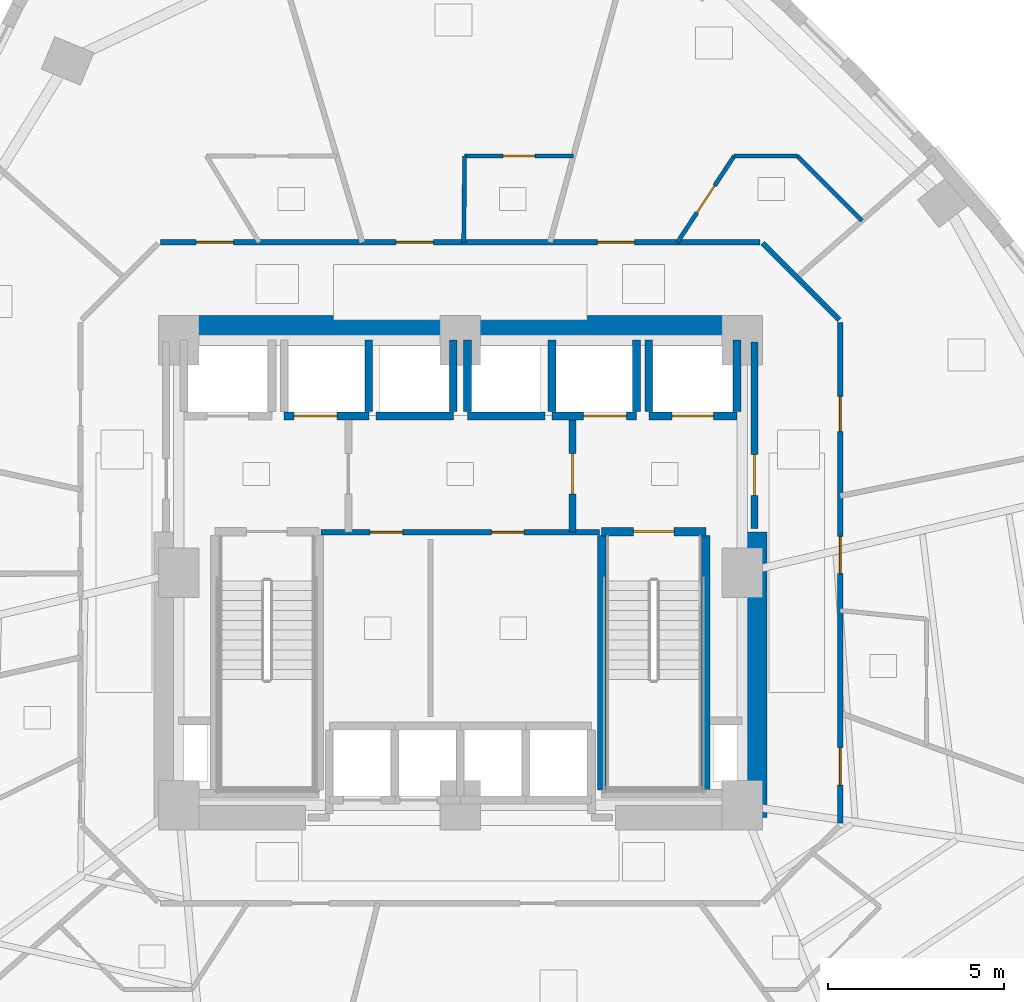
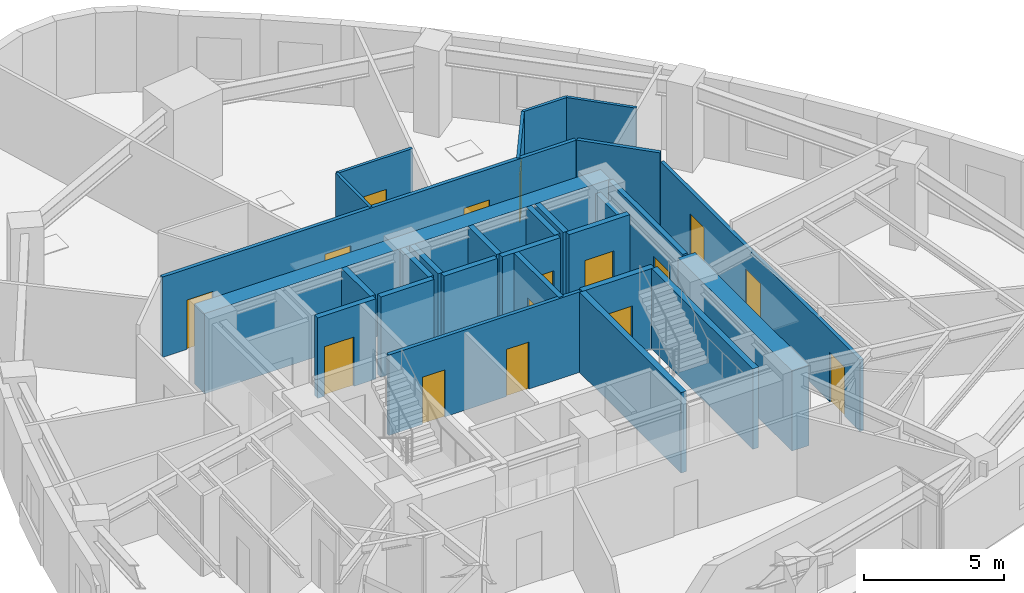
# One storey, part 7 of 12: 28 walls, 16 doors, 16 openings.
"""IFC4 building model written with IfcOpenShell, lengths in metres."""

import ifcopenshell
import ifcopenshell.guid

model = None  # the IFC model being written
_history = None  # IfcOwnerHistory: only IFC2X3 demands one
_inside = {}  # id of a spatial element -> (the spatial element, [elements in it])
_under = {}  # id of a project, library or spatial element -> (it, [spatial elements below it])
_declared = {}  # id of a project -> (the project, [libraries it declares])
_typed = {}  # id of a type object -> (the type object, [elements of that type])
_made_of = {}  # id of a material, layer set ... -> (it, [elements and type objects made of it])


def new_model(schema):
    """Start an empty IFC model of exactly this schema.

    Asked for "IFC4X3", IfcOpenShell would pick the latest addendum, in which some entities
    have other attributes; the version numbers below select the first issue.
    IFC2X3 requires an IfcOwnerHistory on every rooted entity: one is made here for all.
    """
    global model, _history
    if schema == "IFC4X3":
        model = ifcopenshell.file(schema_version=(4, 3, 0, 0))
    else:
        model = ifcopenshell.file(schema=schema)
    _inside.clear()
    _under.clear()
    _declared.clear()
    _typed.clear()
    _made_of.clear()
    _history = None
    if model.schema == "IFC2X3":
        org = make("IfcOrganization", Name="unknown")
        user = make(
            "IfcPersonAndOrganization",
            ThePerson=make("IfcPerson", FamilyName="unknown"),
            TheOrganization=org,
        )
        app = make(
            "IfcApplication",
            ApplicationDeveloper=org,
            Version="unknown",
            ApplicationFullName="unknown",
            ApplicationIdentifier="unknown",
        )
        _history = make(
            "IfcOwnerHistory",
            OwningUser=user,
            OwningApplication=app,
            ChangeAction="ADDED",
            CreationDate=0,
        )
    return model


def make(cls, **values):
    """One entity of the class cls with the attributes given. An attribute that is None is left unset."""
    return model.create_entity(
        cls, **{name: value for name, value in values.items() if value is not None}
    )


def rooted(cls, **values):
    """An entity with a GlobalId (a new one), such as an element, a storey or a relation."""
    return make(cls, GlobalId=ifcopenshell.guid.new(), OwnerHistory=_history, **values)


def si_unit(unit_type, name, prefix=None):
    """IfcSIUnit, for example si_unit("LENGTHUNIT", "METRE", prefix="MILLI")."""
    return make("IfcSIUnit", UnitType=unit_type, Prefix=prefix, Name=name)


def assignment(units):
    """IfcUnitAssignment: the units of a project."""
    return None if units is None else make("IfcUnitAssignment", Units=units)


def point(xyz):
    """IfcCartesianPoint."""
    return None if xyz is None else make("IfcCartesianPoint", Coordinates=xyz)


def direction(xyz):
    """IfcDirection."""
    return None if xyz is None else make("IfcDirection", DirectionRatios=xyz)


def frame(location, z_axis=None, x_axis=None):
    """IfcAxis2Placement3D, a coordinate frame: its origin and axes. An axis left out is left unset."""
    return make(
        "IfcAxis2Placement3D",
        Location=point(location),
        Axis=direction(z_axis),
        RefDirection=direction(x_axis),
    )


def frame_2d(location, x_axis=None):
    """IfcAxis2Placement2D, a coordinate frame in the plane: its origin and x axis."""
    return make(
        "IfcAxis2Placement2D", Location=point(location), RefDirection=direction(x_axis)
    )


def origin():
    """The frame at (0, 0, 0) with its axes left unset."""
    return frame((0.0, 0.0, 0.0))


def place(relative_to, where):
    """IfcLocalPlacement: puts the frame where relative to a parent placement (None: the world)."""
    return make(
        "IfcLocalPlacement", PlacementRelTo=relative_to, RelativePlacement=where
    )


def context(
    kind, dimensions, precision=None, world=None, true_north=None, identifier=None
):
    """IfcGeometricRepresentationContext, for example the 3D "Model" context."""
    return make(
        "IfcGeometricRepresentationContext",
        ContextIdentifier=identifier,
        ContextType=kind,
        CoordinateSpaceDimension=dimensions,
        Precision=precision,
        WorldCoordinateSystem=world,
        TrueNorth=true_north,
    )


def subcontext(parent, identifier, kind, view, scale=None):
    """IfcGeometricRepresentationSubContext, for example "Body" below "Model"."""
    return make(
        "IfcGeometricRepresentationSubContext",
        ContextIdentifier=identifier,
        ContextType=kind,
        ParentContext=parent,
        TargetScale=scale,
        TargetView=view,
    )


def project(units=None, contexts=None):
    """IfcProject with its units and contexts."""
    return rooted(
        "IfcProject",
        Name="project",
        RepresentationContexts=contexts,
        UnitsInContext=assignment(units),
    )


def spatial(cls, under=None, at=None, **own):
    """A site, building, storey or space (cls), placed at a placement, below another one or the project."""
    s = rooted(cls, ObjectPlacement=at, **own)
    if under is not None:
        _under.setdefault(under.id(), (under, []))[1].append(s)
    return s


def profile(cls, at=None, kind="AREA", **sizes):
    """A parametric profile (cls). Its sizes go by their IFC names, for example OverallWidth=200.0."""
    return make(cls, ProfileType=kind, Position=at, **sizes)


def rectangle(**sizes):
    """IfcRectangleProfileDef."""
    return profile("IfcRectangleProfileDef", **sizes)


def extrude(swept, where, along, depth):
    """IfcExtrudedAreaSolid: the profile swept, set in the frame where, extruded along a direction by depth."""
    return make(
        "IfcExtrudedAreaSolid",
        SweptArea=swept,
        Position=where,
        ExtrudedDirection=direction(along),
        Depth=depth,
    )


def shape(context_of_items, identifier, shape_type, items):
    """IfcShapeRepresentation: the items that make up one representation, for example the "Body"."""
    return make(
        "IfcShapeRepresentation",
        ContextOfItems=context_of_items,
        RepresentationIdentifier=identifier,
        RepresentationType=shape_type,
        Items=items,
    )


def material(Name=None, Category=None):
    """IfcMaterial."""
    return make("IfcMaterial", Name=Name, Category=Category)


def layer(
    of_material, thickness, ventilated=None, Name=None, Category=None, Priority=None
):
    """IfcMaterialLayer: one layer of a wall or slab, of a material (None: an air gap)."""
    return make(
        "IfcMaterialLayer",
        Material=of_material,
        LayerThickness=thickness,
        IsVentilated=ventilated,
        Name=Name,
        Category=Category,
        Priority=Priority,
    )


def layer_set(layers, Name=None):
    """IfcMaterialLayerSet."""
    return make("IfcMaterialLayerSet", MaterialLayers=layers, LayerSetName=Name)


def made_of(thing, what):
    """Note that an element or type object is made of a material, layer set ...; save() writes the relation."""
    if what is not None:
        _made_of.setdefault(what.id(), (what, []))[1].append(thing)
    return thing


def type_object(cls, material=None, **own):
    """A type object (cls), such as IfcWallType, which elements share."""
    return made_of(rooted(cls, **own), material)


def element(
    cls,
    number,
    at=None,
    inside=None,
    cuts=None,
    type_object=None,
    material=None,
    context=None,
    identifier="Body",
    shape_type=None,
    held_by="IfcProductDefinitionShape",
    body=None,
    shapes=None,
    **own,
):
    """One element of the class cls, such as IfcWall. Its Tag is "e" and its number.

    at: its placement. inside: the storey or other place that contains it. cuts: it is an
    opening in that element (IfcRelVoidsElement). A single representation is given by context,
    identifier, shape_type and body (its items); several are given by shapes. held_by: the class
    of the entity that holds the representations. save() writes the other relations.
    """
    e = rooted(cls, Tag="e%d" % number, ObjectPlacement=at, **own)
    if body is not None:
        shapes = [shape(context, identifier, shape_type, body)]
    if shapes is not None:
        e.Representation = make(held_by, Representations=shapes)
    if inside is not None:
        _inside.setdefault(inside.id(), (inside, []))[1].append(e)
    if cuts is not None:
        rooted(
            "IfcRelVoidsElement", RelatingBuildingElement=cuts, RelatedOpeningElement=e
        )
    if type_object is not None:
        _typed.setdefault(type_object.id(), (type_object, []))[1].append(e)
    return made_of(e, material)


def fill(opening, filler):
    """IfcRelFillsElement: the door or window that sits in an opening."""
    return rooted(
        "IfcRelFillsElement",
        RelatingOpeningElement=opening,
        RelatedBuildingElement=filler,
    )


def aggregate(whole, parts):
    """IfcRelAggregates: a whole, such as a stair, and the parts it consists of."""
    return rooted("IfcRelAggregates", RelatingObject=whole, RelatedObjects=parts)


def save(model, path):
    """Write the relations noted so far, then the file.

    IfcRelAggregates (storeys below a building ...), IfcRelContainedInSpatialStructure (elements
    in a storey), IfcRelDefinesByType, IfcRelAssociatesMaterial and IfcRelDeclares: one each for
    every whole, place, type object, material and project.
    """
    for whole, parts in _under.values():
        aggregate(whole, parts)
    for where, things in _inside.values():
        rooted(
            "IfcRelContainedInSpatialStructure",
            RelatedElements=things,
            RelatingStructure=where,
        )
    for kind, things in _typed.values():
        rooted("IfcRelDefinesByType", RelatedObjects=things, RelatingType=kind)
    for what, things in _made_of.values():
        rooted("IfcRelAssociatesMaterial", RelatedObjects=things, RelatingMaterial=what)
    for by, libraries in _declared.values():
        rooted("IfcRelDeclares", RelatingContext=by, RelatedDefinitions=libraries)
    model.write(path)


model = new_model("IFC4")

# Units and contexts
model_context = context("Model", 3, precision=1e-05, world=origin(), true_north=direction((0.0, 1.0)))
body_context = subcontext(model_context, "Body", "Model", "MODEL_VIEW")
ifc_project = project(units=[si_unit("LENGTHUNIT", "METRE"), si_unit("AREAUNIT", "SQUARE_METRE"), si_unit("VOLUMEUNIT", "CUBIC_METRE"), si_unit("PLANEANGLEUNIT", "RADIAN"), si_unit("MASSUNIT", "GRAM", prefix="KILO")], contexts=[model_context])

# Site, building, storey
site_placement = place(None, origin())
site = spatial("IfcSite", under=ifc_project, at=site_placement, CompositionType="ELEMENT")
building_placement = place(site_placement, origin())
building = spatial("IfcBuilding", under=site, at=building_placement, Name="Ndelora Gate Hotel", CompositionType="ELEMENT")
storey_placement = place(building_placement, frame((0.0, 0.0, 75.5)))
storey = spatial("IfcBuildingStorey", under=building, at=storey_placement, Name="L18", CompositionType="ELEMENT", Elevation=75.5)

# Walls
ifc_material_1 = material(Name="Concrete C60/75", Category="concrete")
ifc_layer_1 = layer(ifc_material_1, 0.699951171875)
ifc_layer_set_1 = layer_set([ifc_layer_1], Name="Concrete C60/75")
wall_type_1 = type_object("IfcWallType", Name="WL-CORE-700", PredefinedType="SHEAR", material=ifc_layer_set_1)
wall_1_placement = place(storey_placement, frame((-8.35009765625, 6.949951171875, 0.0), z_axis=(0.0, 0.0, 1.0), x_axis=(1.0, 0.0, 0.0)))
element("IfcWall", 1, at=wall_1_placement, inside=storey, type_object=wall_type_1, Name="L18 Core Shear Wall N", PredefinedType="SHEAR", context=body_context, shape_type="SweptSolid", body=[
    extrude(rectangle(XDim=16.7001953125, YDim=0.699951171875, at=frame_2d((8.35009765625, 0.0))), origin(), (0.0, 0.0, 1.0), 3.5),
])
wall_2_placement = place(storey_placement, frame((8.35009765625, -6.949951171875, 0.0), z_axis=(0.0, 0.0, 1.0), x_axis=(0.0, 1.0, 0.0)))
element("IfcWall", 2, at=wall_2_placement, inside=storey, type_object=wall_type_1, Name="L18 Core Shear Wall E", PredefinedType="SHEAR", context=body_context, shape_type="SweptSolid", body=[
    extrude(rectangle(XDim=8.099853515625, YDim=0.699951171875, at=frame_2d((4.0498046875, 0.0))), origin(), (0.0, 0.0, 1.0), 3.5),
])

# Wall, opening, door
ifc_material_2 = material(Name="Concrete C40/50", Category="concrete")
ifc_layer_2 = layer(ifc_material_2, 0.199951171875)
ifc_layer_set_2 = layer_set([ifc_layer_2], Name="Concrete C40/50")
wall_type_2 = type_object("IfcWallType", Name="WL-FIRE-200", PredefinedType="PARTITIONING", material=ifc_layer_set_2)
wall_3_placement = place(storey_placement, frame((3.179931640625, 1.14990234375, 0.0), z_axis=(0.0, 0.0, 1.0), x_axis=(0.0, 1.0, 0.0)))
wall_3 = element("IfcWall", 3, at=wall_3_placement, inside=storey, type_object=wall_type_2, Name="L18 Interior Wall IW-2", PredefinedType="PARTITIONING", context=body_context, shape_type="SweptSolid", body=[
    extrude(rectangle(XDim=3.300048828125, YDim=0.199951171875, at=frame_2d((1.64990234375, 0.0))), origin(), (0.0, 0.0, 1.0), 3.5),
])
opening_1_placement = place(wall_3_placement, frame((1.080078125, 0.0, 0.0)))
opening_1 = element("IfcOpeningElement", 4, at=opening_1_placement, cuts=wall_3, Name="Opening FD1", PredefinedType="OPENING", context=body_context, shape_type="SweptSolid", body=[
    extrude(rectangle(XDim=1.14990234375, YDim=2.14990234375, at=frame_2d((0.574951171875, 1.074951171875))), frame((0.0, 0.10986328125, 0.0), z_axis=(0.0, -1.0, 0.0), x_axis=(1.0, 0.0, 0.0)), (0.0, 0.0, 1.0), 0.219970703125),
])
ifc_material_3 = material(Name="Fire-Rated Timber-Veneer Steel Core", Category="steel")
door_type_1 = type_object("IfcDoorType", Name="DR-FD60", OperationType="SINGLE_SWING_LEFT", PredefinedType="DOOR", material=ifc_material_3)
door_1_placement = place(opening_1_placement, origin())
door_1 = element("IfcDoor", 5, at=door_1_placement, inside=storey, type_object=door_type_1, Name="L18 Firefighting Lobby East Door", OperationType="SINGLE_SWING_LEFT", OverallHeight=2.14990234375, OverallWidth=1.14990234375, PredefinedType="DOOR", context=body_context, shape_type="SweptSolid", body=[
    extrude(rectangle(XDim=1.14990234375, YDim=2.14990234375, at=frame_2d((0.574951171875, 1.074951171875))), frame((0.0, 0.02490234375, 0.0), z_axis=(0.0, -1.0, 0.0), x_axis=(1.0, 0.0, 0.0)), (0.0, 0.0, 1.0), 0.050048828125),
])
fill(opening_1, door_1)

wall_4_placement = place(storey_placement, frame((8.35009765625, 1.25, 0.0), z_axis=(0.0, 0.0, 1.0), x_axis=(0.0, 1.0, 0.0)))
wall_4 = element("IfcWall", 6, at=wall_4_placement, inside=storey, type_object=wall_type_2, Name="L18 Interior Wall IW-2", PredefinedType="PARTITIONING", context=body_context, shape_type="SweptSolid", body=[
    extrude(rectangle(XDim=5.300048828125, YDim=0.199951171875, at=frame_2d((2.64990234375, 0.0))), origin(), (0.0, 0.0, 1.0), 3.5),
])
opening_2_placement = place(wall_4_placement, frame((0.949951171875, 0.0, 0.0)))
opening_2 = element("IfcOpeningElement", 7, at=opening_2_placement, cuts=wall_4, Name="Opening FD1", PredefinedType="OPENING", context=body_context, shape_type="SweptSolid", body=[
    extrude(rectangle(XDim=1.14990234375, YDim=2.14990234375, at=frame_2d((0.574951171875, 1.074951171875))), frame((0.0, 0.10986328125, 0.0), z_axis=(0.0, -1.0, 0.0), x_axis=(1.0, 0.0, 0.0)), (0.0, 0.0, 1.0), 0.219970703125),
])
door_2_placement = place(opening_2_placement, origin())
door_2 = element("IfcDoor", 8, at=door_2_placement, inside=storey, type_object=door_type_1, Name="L18 Firefighting Lobby East Corridor Door", OperationType="SINGLE_SWING_RIGHT", OverallHeight=2.14990234375, OverallWidth=1.14990234375, PredefinedType="DOOR", context=body_context, shape_type="SweptSolid", body=[
    extrude(rectangle(XDim=1.14990234375, YDim=2.14990234375, at=frame_2d((0.574951171875, 1.074951171875))), frame((0.0, 0.02490234375, 0.0), z_axis=(0.0, -1.0, 0.0), x_axis=(1.0, 0.0, 0.0)), (0.0, 0.0, 1.0), 0.050048828125),
])
fill(opening_2, door_2)

# Wall, openings, doors
ifc_material_4 = material(Name="Fire-Rated Gypsum Stud Partition", Category="gypsum")
ifc_layer_3 = layer(ifc_material_4, 0.14990234375)
ifc_layer_set_3 = layer_set([ifc_layer_3], Name="Fire-Rated Gypsum Stud Partition")
wall_type_3 = type_object("IfcWallType", Name="WL-PART-150", PredefinedType="PARTITIONING", material=ifc_layer_set_3)
wall_5_placement = place(storey_placement, frame((3.949951171875, 1.14990234375, 0.0), z_axis=(0.0, 0.0, 1.0), x_axis=(-1.0, 0.0, 0.0)))
wall_5 = element("IfcWall", 9, at=wall_5_placement, inside=storey, type_object=wall_type_3, Name="L18 Interior Wall IW-5", PredefinedType="PARTITIONING", context=body_context, shape_type="SweptSolid", body=[
    extrude(rectangle(XDim=7.89990234375, YDim=0.14990234375, at=frame_2d((3.949951171875, 0.0))), origin(), (0.0, 0.0, 1.0), 3.5),
])
opening_3_placement = place(wall_5_placement, frame((5.590087890625, 0.0, 0.0)))
opening_3 = element("IfcOpeningElement", 10, at=opening_3_placement, cuts=wall_5, Name="Opening D04", PredefinedType="OPENING", context=body_context, shape_type="SweptSolid", body=[
    extrude(rectangle(XDim=0.919921875, YDim=2.050048828125, at=frame_2d((0.4599609375, 1.02490234375))), frame((0.0, 0.0849609375, 0.0), z_axis=(0.0, -1.0, 0.0), x_axis=(1.0, 0.0, 0.0)), (0.0, 0.0, 1.0), 0.169921875),
])
opening_4_placement = place(wall_5_placement, frame((2.139892578125, 0.0, 0.0)))
opening_4 = element("IfcOpeningElement", 11, at=opening_4_placement, cuts=wall_5, Name="Opening D04", PredefinedType="OPENING", context=body_context, shape_type="SweptSolid", body=[
    extrude(rectangle(XDim=0.919921875, YDim=2.050048828125, at=frame_2d((0.4599609375, 1.02490234375))), frame((0.0, 0.0849609375, 0.0), z_axis=(0.0, -1.0, 0.0), x_axis=(1.0, 0.0, 0.0)), (0.0, 0.0, 1.0), 0.169921875),
])
ifc_material_5 = material(Name="Painted Steel Core Service Door", Category="steel")
door_type_2 = type_object("IfcDoorType", Name="DR-SER-920", OperationType="SINGLE_SWING_LEFT", PredefinedType="DOOR", material=ifc_material_5)
door_3_placement = place(opening_3_placement, origin())
door_3 = element("IfcDoor", 12, at=door_3_placement, inside=storey, type_object=door_type_2, Name="L18 Core Electrical Switchroom Door", OperationType="SINGLE_SWING_LEFT", OverallHeight=2.050048828125, OverallWidth=0.919921875, PredefinedType="DOOR", context=body_context, shape_type="SweptSolid", body=[
    extrude(rectangle(XDim=0.919921875, YDim=2.050048828125, at=frame_2d((0.4599609375, 1.02490234375))), frame((0.0, 0.02490234375, 0.0), z_axis=(0.0, -1.0, 0.0), x_axis=(1.0, 0.0, 0.0)), (0.0, 0.0, 1.0), 0.050048828125),
])
fill(opening_3, door_3)
door_4_placement = place(opening_4_placement, origin())
door_4 = element("IfcDoor", 13, at=door_4_placement, inside=storey, type_object=door_type_2, Name="L18 Central Linen Equipment Store Door", OperationType="SINGLE_SWING_RIGHT", OverallHeight=2.050048828125, OverallWidth=0.919921875, PredefinedType="DOOR", context=body_context, shape_type="SweptSolid", body=[
    extrude(rectangle(XDim=0.919921875, YDim=2.050048828125, at=frame_2d((0.4599609375, 1.02490234375))), frame((0.0, 0.02490234375, 0.0), z_axis=(0.0, -1.0, 0.0), x_axis=(1.0, 0.0, 0.0)), (0.0, 0.0, 1.0), 0.050048828125),
])
fill(opening_4, door_4)

wall_6_placement = place(storey_placement, frame((10.780029296875, 7.110107421875, 0.0), z_axis=(0.0, 0.0, 1.0), x_axis=(0.0, -1.0, 0.0)))
wall_6 = element("IfcWall", 14, at=wall_6_placement, inside=storey, type_object=wall_type_3, Name="L18 Interior Wall IW-5", PredefinedType="PARTITIONING", context=body_context, shape_type="SweptSolid", body=[
    extrude(rectangle(XDim=14.22021484375, YDim=0.14990234375, at=frame_2d((7.110107421875, 0.0))), origin(), (0.0, 0.0, 1.0), 3.1201171875),
])
opening_5_placement = place(wall_6_placement, frame((2.104736328125, 0.0, 0.0)))
opening_5 = element("IfcOpeningElement", 15, at=opening_5_placement, cuts=wall_6, Name="Opening D01", PredefinedType="OPENING", context=body_context, shape_type="SweptSolid", body=[
    extrude(rectangle(XDim=1.0, YDim=2.14990234375, at=frame_2d((0.5, 1.074951171875))), frame((0.0, 0.0849609375, 0.0), z_axis=(0.0, -1.0, 0.0), x_axis=(1.0, 0.0, 0.0)), (0.0, 0.0, 1.0), 0.169921875),
])
opening_6_placement = place(wall_6_placement, frame((12.0751953125, 0.0, 0.0)))
opening_6 = element("IfcOpeningElement", 16, at=opening_6_placement, cuts=wall_6, Name="Opening D07", PredefinedType="OPENING", context=body_context, shape_type="SweptSolid", body=[
    extrude(rectangle(XDim=1.06005859375, YDim=2.14990234375, at=frame_2d((0.530029296875, 1.074951171875))), frame((0.0, 0.0849609375, 0.0), z_axis=(0.0, -1.0, 0.0), x_axis=(1.0, 0.0, 0.0)), (0.0, 0.0, 1.0), 0.169921875),
])
opening_7_placement = place(wall_6_placement, frame((6.074462890625, 0.0, 0.0)))
opening_7 = element("IfcOpeningElement", 17, at=opening_7_placement, cuts=wall_6, Name="Opening D07", PredefinedType="OPENING", context=body_context, shape_type="SweptSolid", body=[
    extrude(rectangle(XDim=1.06005859375, YDim=2.14990234375, at=frame_2d((0.530029296875, 1.074951171875))), frame((0.0, 0.0849609375, 0.0), z_axis=(0.0, -1.0, 0.0), x_axis=(1.0, 0.0, 0.0)), (0.0, 0.0, 1.0), 0.169921875),
])
ifc_material_6 = material(Name="Acoustic Hardwood Guest Entrance Door", Category="wood")
door_type_3 = type_object("IfcDoorType", Name="DR-COR-1000", OperationType="SINGLE_SWING_LEFT", PredefinedType="DOOR", material=ifc_material_6)
door_5_placement = place(opening_5_placement, origin())
door_5 = element("IfcDoor", 18, at=door_5_placement, inside=storey, type_object=door_type_3, Name="L18 Curated Art Salon Entrance Door", OperationType="SINGLE_SWING_LEFT", OverallHeight=2.14990234375, OverallWidth=1.0, PredefinedType="DOOR", context=body_context, shape_type="SweptSolid", body=[
    extrude(rectangle(XDim=1.0, YDim=2.14990234375, at=frame_2d((0.5, 1.074951171875))), frame((0.0, 0.02490234375, 0.0), z_axis=(0.0, -1.0, 0.0), x_axis=(1.0, 0.0, 0.0)), (0.0, 0.0, 1.0), 0.050048828125),
])
fill(opening_5, door_5)
ifc_material_7 = material(Name="Diplomatic Suite Acoustic Entrance Door", Category="wood")
door_type_4 = type_object("IfcDoorType", Name="DR-SUITE-1060", OperationType="SINGLE_SWING_LEFT", PredefinedType="DOOR", material=ifc_material_7)
door_6_placement = place(opening_6_placement, origin())
door_6 = element("IfcDoor", 19, at=door_6_placement, inside=storey, type_object=door_type_4, Name="L18 Deluxe King Junior Suite 2103 Entrance Door", OperationType="SINGLE_SWING_LEFT", OverallHeight=2.14990234375, OverallWidth=1.06005859375, PredefinedType="DOOR", context=body_context, shape_type="SweptSolid", body=[
    extrude(rectangle(XDim=1.06005859375, YDim=2.14990234375, at=frame_2d((0.530029296875, 1.074951171875))), frame((0.0, 0.02490234375, 0.0), z_axis=(0.0, -1.0, 0.0), x_axis=(1.0, 0.0, 0.0)), (0.0, 0.0, 1.0), 0.050048828125),
])
fill(opening_6, door_6)
door_7_placement = place(opening_7_placement, origin())
door_7 = element("IfcDoor", 20, at=door_7_placement, inside=storey, type_object=door_type_4, Name="L18 Twin Junior Suite 2104 Entrance Door", OperationType="SINGLE_SWING_RIGHT", OverallHeight=2.14990234375, OverallWidth=1.06005859375, PredefinedType="DOOR", context=body_context, shape_type="SweptSolid", body=[
    extrude(rectangle(XDim=1.06005859375, YDim=2.14990234375, at=frame_2d((0.530029296875, 1.074951171875))), frame((0.0, 0.02490234375, 0.0), z_axis=(0.0, -1.0, 0.0), x_axis=(1.0, 0.0, 0.0)), (0.0, 0.0, 1.0), 0.050048828125),
])
fill(opening_7, door_7)

# Wall
wall_7_placement = place(storey_placement, frame((8.578369140625, 9.351806640625, 0.0), z_axis=(0.0, 0.0, 1.0), x_axis=(0.707067066127, -0.707146494016, 0.0)))
element("IfcWall", 21, at=wall_7_placement, inside=storey, type_object=wall_type_3, Name="L18 Interior Wall IW-5", PredefinedType="PARTITIONING", context=body_context, shape_type="SweptSolid", body=[
    extrude(rectangle(XDim=3.07373046875, YDim=0.14990234375, at=frame_2d((1.536865234375, 0.0))), origin(), (0.0, 0.0, 1.0), 3.5),
])

# Wall, openings, doors
wall_8_placement = place(storey_placement, frame((-8.510009765625, 9.3798828125, 0.0), z_axis=(0.0, 0.0, 1.0), x_axis=(1.0, 0.0, 0.0)))
wall_8 = element("IfcWall", 22, at=wall_8_placement, inside=storey, type_object=wall_type_3, Name="L18 Interior Wall IW-5", PredefinedType="PARTITIONING", context=body_context, shape_type="SweptSolid", body=[
    extrude(rectangle(XDim=17.02001953125, YDim=0.14990234375, at=frame_2d((8.510009765625, 0.0))), origin(), (0.0, 0.0, 1.0), 3.5),
])
opening_8_placement = place(wall_8_placement, frame((12.39794921875, 0.0, 0.0)))
opening_8 = element("IfcOpeningElement", 23, at=opening_8_placement, cuts=wall_8, Name="Opening D07", PredefinedType="OPENING", context=body_context, shape_type="SweptSolid", body=[
    extrude(rectangle(XDim=1.06005859375, YDim=2.14990234375, at=frame_2d((0.530029296875, 1.074951171875))), frame((0.0, 0.0849609375, 0.0), z_axis=(0.0, -1.0, 0.0), x_axis=(1.0, 0.0, 0.0)), (0.0, 0.0, 1.0), 0.169921875),
])
opening_9_placement = place(wall_8_placement, frame((1.007080078125, 0.0, 0.0)))
opening_9 = element("IfcOpeningElement", 24, at=opening_9_placement, cuts=wall_8, Name="Opening D07", PredefinedType="OPENING", context=body_context, shape_type="SweptSolid", body=[
    extrude(rectangle(XDim=1.06005859375, YDim=2.14990234375, at=frame_2d((0.530029296875, 1.074951171875))), frame((0.0, 0.0849609375, 0.0), z_axis=(0.0, -1.0, 0.0), x_axis=(1.0, 0.0, 0.0)), (0.0, 0.0, 1.0), 0.169921875),
])
opening_10_placement = place(wall_8_placement, frame((6.6826171875, 0.0, 0.0)))
opening_10 = element("IfcOpeningElement", 25, at=opening_10_placement, cuts=wall_8, Name="Opening D07", PredefinedType="OPENING", context=body_context, shape_type="SweptSolid", body=[
    extrude(rectangle(XDim=1.06005859375, YDim=2.14990234375, at=frame_2d((0.530029296875, 1.074951171875))), frame((0.0, 0.0849609375, 0.0), z_axis=(0.0, -1.0, 0.0), x_axis=(1.0, 0.0, 0.0)), (0.0, 0.0, 1.0), 0.169921875),
])
door_8_placement = place(opening_8_placement, origin())
door_8 = element("IfcDoor", 26, at=door_8_placement, inside=storey, type_object=door_type_4, Name="L18 Family Twin Suite 2105 Entrance Door", OperationType="SINGLE_SWING_RIGHT", OverallHeight=2.14990234375, OverallWidth=1.06005859375, PredefinedType="DOOR", context=body_context, shape_type="SweptSolid", body=[
    extrude(rectangle(XDim=1.06005859375, YDim=2.14990234375, at=frame_2d((0.530029296875, 1.074951171875))), frame((0.0, 0.02490234375, 0.0), z_axis=(0.0, -1.0, 0.0), x_axis=(1.0, 0.0, 0.0)), (0.0, 0.0, 1.0), 0.050048828125),
])
fill(opening_8, door_8)
door_9_placement = place(opening_9_placement, origin())
door_9 = element("IfcDoor", 27, at=door_9_placement, inside=storey, type_object=door_type_4, Name="L18 Superior Double Junior Suite 2107 Entrance Door", OperationType="SINGLE_SWING_RIGHT", OverallHeight=2.14990234375, OverallWidth=1.06005859375, PredefinedType="DOOR", context=body_context, shape_type="SweptSolid", body=[
    extrude(rectangle(XDim=1.06005859375, YDim=2.14990234375, at=frame_2d((0.530029296875, 1.074951171875))), frame((0.0, 0.02490234375, 0.0), z_axis=(0.0, -1.0, 0.0), x_axis=(1.0, 0.0, 0.0)), (0.0, 0.0, 1.0), 0.050048828125),
])
fill(opening_9, door_9)
door_10_placement = place(opening_10_placement, origin())
door_10 = element("IfcDoor", 28, at=door_10_placement, inside=storey, type_object=door_type_4, Name="L18 Executive King Junior Suite 2106 Entrance Door", OperationType="SINGLE_SWING_LEFT", OverallHeight=2.14990234375, OverallWidth=1.06005859375, PredefinedType="DOOR", context=body_context, shape_type="SweptSolid", body=[
    extrude(rectangle(XDim=1.06005859375, YDim=2.14990234375, at=frame_2d((0.530029296875, 1.074951171875))), frame((0.0, 0.02490234375, 0.0), z_axis=(0.0, -1.0, 0.0), x_axis=(1.0, 0.0, 0.0)), (0.0, 0.0, 1.0), 0.050048828125),
])
fill(opening_10, door_10)

# Wall, opening, door
ifc_layer_4 = layer(ifc_material_2, 0.219970703125)
ifc_layer_set_4 = layer_set([ifc_layer_4], Name="Concrete C40/50")
wall_type_4 = type_object("IfcWallType", Name="WL-SHAFT-220", PredefinedType="PARTITIONING", material=ifc_layer_set_4)
wall_9_placement = place(storey_placement, frame((5.35009765625, 4.449951171875, 0.0), z_axis=(0.0, 0.0, 1.0), x_axis=(1.0, 0.0, 0.0)))
wall_9 = element("IfcWall", 29, at=wall_9_placement, inside=storey, type_object=wall_type_4, Name="L18 Interior Wall IW-1", PredefinedType="PARTITIONING", context=body_context, shape_type="SweptSolid", body=[
    extrude(rectangle(XDim=2.5, YDim=0.219970703125, at=frame_2d((1.25, 0.0))), origin(), (0.0, 0.0, 1.0), 3.5),
])
opening_11_placement = place(wall_9_placement, frame((0.659912109375, 0.0, 0.0)))
opening_11 = element("IfcOpeningElement", 30, at=opening_11_placement, cuts=wall_9, Name="Opening LD5", PredefinedType="OPENING", context=body_context, shape_type="SweptSolid", body=[
    extrude(rectangle(XDim=1.179931640625, YDim=2.14990234375, at=frame_2d((0.58984375, 1.074951171875))), frame((0.0, 0.1201171875, 0.0), z_axis=(0.0, -1.0, 0.0), x_axis=(1.0, 0.0, 0.0)), (0.0, 0.0, 1.0), 0.239990234375),
])
ifc_material_8 = material(Name="Firefighting Lift Stainless Sliding Landing Door", Category="metal")
door_type_5 = type_object("IfcDoorType", Name="DR-LD5", OperationType="DOUBLE_DOOR_SLIDING", PredefinedType="DOOR", material=ifc_material_8)
door_11_placement = place(opening_11_placement, origin())
door_11 = element("IfcDoor", 31, at=door_11_placement, inside=storey, type_object=door_type_5, Name="L18 Lift Landing Sliding Door FFL2", OperationType="DOUBLE_DOOR_SLIDING", OverallHeight=2.14990234375, OverallWidth=1.179931640625, PredefinedType="DOOR", context=body_context, shape_type="SweptSolid", body=[
    extrude(rectangle(XDim=1.179931640625, YDim=2.14990234375, at=frame_2d((0.58984375, 1.074951171875))), frame((0.0, 0.02490234375, 0.0), z_axis=(0.0, -1.0, 0.0), x_axis=(1.0, 0.0, 0.0)), (0.0, 0.0, 1.0), 0.050048828125),
])
fill(opening_11, door_11)

# Walls
wall_10_placement = place(storey_placement, frame((5.35009765625, 4.570068359375, 0.0), z_axis=(0.0, 0.0, 1.0), x_axis=(0.0, 1.0, 0.0)))
element("IfcWall", 32, at=wall_10_placement, inside=storey, type_object=wall_type_4, Name="L18 Interior Wall IW-1", PredefinedType="PARTITIONING", context=body_context, shape_type="SweptSolid", body=[
    extrude(rectangle(XDim=2.030029296875, YDim=0.219970703125, at=frame_2d((1.01513671875, 0.0))), origin(), (0.0, 0.0, 1.0), 3.5),
])
wall_11_placement = place(storey_placement, frame((7.85009765625, 4.570068359375, 0.0), z_axis=(0.0, 0.0, 1.0), x_axis=(0.0, 1.0, 0.0)))
element("IfcWall", 33, at=wall_11_placement, inside=storey, type_object=wall_type_4, Name="L18 Interior Wall IW-1", PredefinedType="PARTITIONING", context=body_context, shape_type="SweptSolid", body=[
    extrude(rectangle(XDim=2.030029296875, YDim=0.219970703125, at=frame_2d((1.01513671875, 0.0))), origin(), (0.0, 0.0, 1.0), 3.080078125),
])

# Wall, opening, door
wall_12_placement = place(storey_placement, frame((-5.0, 4.449951171875, 0.0), z_axis=(0.0, 0.0, 1.0), x_axis=(1.0, 0.0, 0.0)))
wall_12 = element("IfcWall", 34, at=wall_12_placement, inside=storey, type_object=wall_type_4, Name="L18 Interior Wall IW-1", PredefinedType="PARTITIONING", context=body_context, shape_type="SweptSolid", body=[
    extrude(rectangle(XDim=2.39990234375, YDim=0.219970703125, at=frame_2d((1.199951171875, 0.0))), origin(), (0.0, 0.0, 1.0), 3.5),
])
opening_12_placement = place(wall_12_placement, frame((0.280029296875, 0.0, 0.0)))
opening_12 = element("IfcOpeningElement", 35, at=opening_12_placement, cuts=wall_12, Name="Opening LD6", PredefinedType="OPENING", context=body_context, shape_type="SweptSolid", body=[
    extrude(rectangle(XDim=1.219970703125, YDim=2.14990234375, at=frame_2d((0.60986328125, 1.074951171875))), frame((0.0, 0.1201171875, 0.0), z_axis=(0.0, -1.0, 0.0), x_axis=(1.0, 0.0, 0.0)), (0.0, 0.0, 1.0), 0.239990234375),
])
ifc_material_9 = material(Name="Heavy-Duty Service Lift Sliding Landing Door", Category="wood")
door_type_6 = type_object("IfcDoorType", Name="DR-LD6", OperationType="DOUBLE_DOOR_SLIDING", PredefinedType="DOOR", material=ifc_material_9)
door_12_placement = place(opening_12_placement, origin())
door_12 = element("IfcDoor", 36, at=door_12_placement, inside=storey, type_object=door_type_6, Name="L18 Lift Landing Sliding Door SVL1", OperationType="DOUBLE_DOOR_SLIDING", OverallHeight=2.14990234375, OverallWidth=1.219970703125, PredefinedType="DOOR", context=body_context, shape_type="SweptSolid", body=[
    extrude(rectangle(XDim=1.219970703125, YDim=2.14990234375, at=frame_2d((0.60986328125, 1.074951171875))), frame((0.0, 0.02490234375, 0.0), z_axis=(0.0, -1.0, 0.0), x_axis=(1.0, 0.0, 0.0)), (0.0, 0.0, 1.0), 0.050048828125),
])
fill(opening_12, door_12)

# Wall
wall_13_placement = place(storey_placement, frame((-2.60009765625, 4.570068359375, 0.0), z_axis=(0.0, 0.0, 1.0), x_axis=(0.0, 1.0, 0.0)))
element("IfcWall", 37, at=wall_13_placement, inside=storey, type_object=wall_type_4, Name="L18 Interior Wall IW-1", PredefinedType="PARTITIONING", context=body_context, shape_type="SweptSolid", body=[
    extrude(rectangle(XDim=2.030029296875, YDim=0.219970703125, at=frame_2d((1.01513671875, 0.0))), origin(), (0.0, 0.0, 1.0), 3.5),
])

# Wall, opening, door
wall_14_placement = place(storey_placement, frame((2.60009765625, 4.449951171875, 0.0), z_axis=(0.0, 0.0, 1.0), x_axis=(1.0, 0.0, 0.0)))
wall_14 = element("IfcWall", 38, at=wall_14_placement, inside=storey, type_object=wall_type_4, Name="L18 Interior Wall IW-1", PredefinedType="PARTITIONING", context=body_context, shape_type="SweptSolid", body=[
    extrude(rectangle(XDim=2.39990234375, YDim=0.219970703125, at=frame_2d((1.199951171875, 0.0))), origin(), (0.0, 0.0, 1.0), 3.5),
])
opening_13_placement = place(wall_14_placement, frame((0.89990234375, 0.0, 0.0)))
opening_13 = element("IfcOpeningElement", 39, at=opening_13_placement, cuts=wall_14, Name="Opening LD6", PredefinedType="OPENING", context=body_context, shape_type="SweptSolid", body=[
    extrude(rectangle(XDim=1.219970703125, YDim=2.14990234375, at=frame_2d((0.60986328125, 1.074951171875))), frame((0.0, 0.1201171875, 0.0), z_axis=(0.0, -1.0, 0.0), x_axis=(1.0, 0.0, 0.0)), (0.0, 0.0, 1.0), 0.239990234375),
])
door_13_placement = place(opening_13_placement, origin())
door_13 = element("IfcDoor", 40, at=door_13_placement, inside=storey, type_object=door_type_6, Name="L18 Lift Landing Sliding Door SVL2", OperationType="DOUBLE_DOOR_SLIDING", OverallHeight=2.14990234375, OverallWidth=1.219970703125, PredefinedType="DOOR", context=body_context, shape_type="SweptSolid", body=[
    extrude(rectangle(XDim=1.219970703125, YDim=2.14990234375, at=frame_2d((0.60986328125, 1.074951171875))), frame((0.0, 0.02490234375, 0.0), z_axis=(0.0, -1.0, 0.0), x_axis=(1.0, 0.0, 0.0)), (0.0, 0.0, 1.0), 0.050048828125),
])
fill(opening_13, door_13)

# Walls
for number, where, z_axis, x_axis, name in (
    (41, (2.60009765625, 4.570068359375, 0.0), (0.0, 0.0, 1.0), (0.0, 1.0, 0.0), "L18 Interior Wall IW-1"),
    (42, (5.0, 4.570068359375, 0.0), (0.0, 0.0, 1.0), (0.0, 1.0, 0.0), "L18 Interior Wall IW-1"),
):
    element("IfcWall", number, at=place(storey_placement, frame(where, z_axis=z_axis, x_axis=x_axis)), inside=storey, type_object=wall_type_4, Name=name, PredefinedType="PARTITIONING", context=body_context, shape_type="SweptSolid", body=[
        extrude(rectangle(XDim=2.030029296875, YDim=0.219970703125, at=frame_2d((1.01513671875, 0.0))), origin(), (0.0, 0.0, 1.0), 3.5),
    ])
wall_15_placement = place(storey_placement, frame((-2.39990234375, 4.449951171875, 0.0), z_axis=(0.0, 0.0, 1.0), x_axis=(1.0, 0.0, 0.0)))
element("IfcWall", 43, at=wall_15_placement, inside=storey, type_object=wall_type_4, Name="L18 Interior Wall IW-1", PredefinedType="PARTITIONING", context=body_context, shape_type="SweptSolid", body=[
    extrude(rectangle(XDim=2.199951171875, YDim=0.219970703125, at=frame_2d((1.10009765625, 0.0))), origin(), (0.0, 0.0, 1.0), 3.5),
])
wall_16_placement = place(storey_placement, frame((-0.199951171875, 4.570068359375, 0.0), z_axis=(0.0, 0.0, 1.0), x_axis=(0.0, 1.0, 0.0)))
element("IfcWall", 44, at=wall_16_placement, inside=storey, type_object=wall_type_4, Name="L18 Interior Wall IW-1", PredefinedType="PARTITIONING", context=body_context, shape_type="SweptSolid", body=[
    extrude(rectangle(XDim=2.030029296875, YDim=0.219970703125, at=frame_2d((1.01513671875, 0.0))), origin(), (0.0, 0.0, 1.0), 3.5),
])
wall_17_placement = place(storey_placement, frame((0.199951171875, 4.449951171875, 0.0), z_axis=(0.0, 0.0, 1.0), x_axis=(1.0, 0.0, 0.0)))
element("IfcWall", 45, at=wall_17_placement, inside=storey, type_object=wall_type_4, Name="L18 Interior Wall IW-1", PredefinedType="PARTITIONING", context=body_context, shape_type="SweptSolid", body=[
    extrude(rectangle(XDim=2.199951171875, YDim=0.219970703125, at=frame_2d((1.10009765625, 0.0))), origin(), (0.0, 0.0, 1.0), 3.5),
])
wall_18_placement = place(storey_placement, frame((0.199951171875, 4.570068359375, 0.0), z_axis=(0.0, 0.0, 1.0), x_axis=(0.0, 1.0, 0.0)))
element("IfcWall", 46, at=wall_18_placement, inside=storey, type_object=wall_type_4, Name="L18 Interior Wall IW-1", PredefinedType="PARTITIONING", context=body_context, shape_type="SweptSolid", body=[
    extrude(rectangle(XDim=2.030029296875, YDim=0.219970703125, at=frame_2d((1.01513671875, 0.0))), origin(), (0.0, 0.0, 1.0), 3.5),
])
ifc_material_10 = material(Name="Concrete C50/60", Category="concrete")
ifc_layer_5 = layer(ifc_material_10, 0.239990234375)
ifc_layer_set_5 = layer_set([ifc_layer_5], Name="Concrete C50/60")
wall_type_5 = type_object("IfcWallType", Name="WL-STAIR-240", PredefinedType="SHEAR", material=ifc_layer_set_5)
for number, where, z_axis, x_axis, name in (
    (47, (4.010009765625, -6.159912109375, 0.0), (0.0, 0.0, 1.0), (0.0, 1.0, 0.0), "L18 Stair Core Shear Wall SW-ST"),
    (48, (6.969970703125, -6.159912109375, 0.0), (0.0, 0.0, 1.0), (0.0, 1.0, 0.0), "L18 Stair Core Shear Wall SW-ST"),
):
    element("IfcWall", number, at=place(storey_placement, frame(where, z_axis=z_axis, x_axis=x_axis)), inside=storey, type_object=wall_type_5, Name=name, PredefinedType="SHEAR", context=body_context, shape_type="SweptSolid", body=[
        extrude(rectangle(XDim=7.219970703125, YDim=0.239990234375, at=frame_2d((3.60986328125, 0.0))), origin(), (0.0, 0.0, 1.0), 3.5),
    ])

# Wall, opening, door
wall_19_placement = place(storey_placement, frame((4.010009765625, 1.169921875, 0.0), z_axis=(0.0, 0.0, 1.0), x_axis=(1.0, 0.0, 0.0)))
wall_19 = element("IfcWall", 49, at=wall_19_placement, inside=storey, type_object=wall_type_5, Name="L18 Stair Core Shear Wall SW-ST", PredefinedType="SHEAR", context=body_context, shape_type="SweptSolid", body=[
    extrude(rectangle(XDim=2.9599609375, YDim=0.239990234375, at=frame_2d((1.47998046875, 0.0))), origin(), (0.0, 0.0, 1.0), 3.5),
])
opening_14_placement = place(wall_19_placement, frame((0.89990234375, 0.0, 0.0)))
opening_14 = element("IfcOpeningElement", 50, at=opening_14_placement, cuts=wall_19, Name="Opening FD1", PredefinedType="OPENING", context=body_context, shape_type="SweptSolid", body=[
    extrude(rectangle(XDim=1.14990234375, YDim=2.14990234375, at=frame_2d((0.574951171875, 1.074951171875))), frame((0.0, 0.1298828125, 0.0), z_axis=(0.0, -1.0, 0.0), x_axis=(1.0, 0.0, 0.0)), (0.0, 0.0, 1.0), 0.260009765625),
])
door_14_placement = place(opening_14_placement, origin())
door_14 = element("IfcDoor", 51, at=door_14_placement, inside=storey, type_object=door_type_1, Name="L18 Exit Stair ST5 Door", OperationType="SINGLE_SWING_RIGHT", OverallHeight=2.14990234375, OverallWidth=1.14990234375, PredefinedType="DOOR", context=body_context, shape_type="SweptSolid", body=[
    extrude(rectangle(XDim=1.14990234375, YDim=2.14990234375, at=frame_2d((0.574951171875, 1.074951171875))), frame((0.0, 0.02490234375, 0.0), z_axis=(0.0, -1.0, 0.0), x_axis=(1.0, 0.0, 0.0)), (0.0, 0.0, 1.0), 0.050048828125),
])
fill(opening_14, door_14)

ifc_material_11 = material(Name="Moisture-Resistant Bathroom Tile Partition", Category="gypsum")
ifc_layer_6 = layer(ifc_material_11, 0.1201171875)
ifc_layer_set_6 = layer_set([ifc_layer_6], Name="Moisture-Resistant Bathroom Tile Partition")
wall_type_6 = type_object("IfcWallType", Name="WL-WET-120", PredefinedType="PARTITIONING", material=ifc_layer_set_6)
wall_20_placement = place(storey_placement, frame((6.162109375, 9.3798828125, 0.0), z_axis=(0.0, 0.0, 1.0), x_axis=(0.54905657123, 0.835785188664, 0.0)))
wall_20 = element("IfcWall", 52, at=wall_20_placement, inside=storey, type_object=wall_type_6, Name="L18 Interior Wall IW-7", PredefinedType="PARTITIONING", context=body_context, shape_type="SweptSolid", body=[
    extrude(rectangle(XDim=2.931640625, YDim=0.1201171875, at=frame_2d((1.4658203125, 0.0))), origin(), (0.0, 0.0, 1.0), 3.5),
])
opening_15_placement = place(wall_20_placement, frame((1.005615234375, 0.0, 0.0)))
opening_15 = element("IfcOpeningElement", 53, at=opening_15_placement, cuts=wall_20, Name="Opening D03", PredefinedType="OPENING", context=body_context, shape_type="SweptSolid", body=[
    extrude(rectangle(XDim=0.919921875, YDim=2.10009765625, at=frame_2d((0.4599609375, 1.050048828125))), frame((0.0, 0.070068359375, 0.0), z_axis=(0.0, -1.0, 0.0), x_axis=(1.0, 0.0, 0.0)), (0.0, 0.0, 1.0), 0.14013671875),
])
ifc_material_12 = material(Name="Moisture-Resistant Hardwood En-Suite Door", Category="wood")
door_type_7 = type_object("IfcDoorType", Name="DR-BATH-920", OperationType="SINGLE_SWING_LEFT", PredefinedType="DOOR", material=ifc_material_12)
door_15_placement = place(opening_15_placement, origin())
door_15 = element("IfcDoor", 54, at=door_15_placement, inside=storey, type_object=door_type_7, Name="L18 En-suite Bathroom 2105 Door", OperationType="SINGLE_SWING_RIGHT", OverallHeight=2.10009765625, OverallWidth=0.919921875, PredefinedType="DOOR", context=body_context, shape_type="SweptSolid", body=[
    extrude(rectangle(XDim=0.919921875, YDim=2.10009765625, at=frame_2d((0.4599609375, 1.050048828125))), frame((0.0, 0.02490234375, 0.0), z_axis=(0.0, -1.0, 0.0), x_axis=(1.0, 0.0, 0.0)), (0.0, 0.0, 1.0), 0.050048828125),
])
fill(opening_15, door_15)

# Walls
wall_21_placement = place(storey_placement, frame((7.771728515625, 11.830078125, 0.0), z_axis=(0.0, 0.0, 1.0), x_axis=(1.0, 0.0, 0.0)))
element("IfcWall", 55, at=wall_21_placement, inside=storey, type_object=wall_type_6, Name="L18 Interior Wall IW-7", PredefinedType="PARTITIONING", context=body_context, shape_type="SweptSolid", body=[
    extrude(rectangle(XDim=1.79296875, YDim=0.1201171875, at=frame_2d((0.896484375, 0.0))), origin(), (0.0, 0.0, 1.0), 3.5),
])
wall_22_placement = place(storey_placement, frame((11.3984375, 9.996337890625, 0.0), z_axis=(0.0, 0.0, 1.0), x_axis=(-0.707106781187, 0.707106781187, 0.0)))
element("IfcWall", 56, at=wall_22_placement, inside=storey, type_object=wall_type_6, Name="L18 Interior Wall IW-7", PredefinedType="PARTITIONING", context=body_context, shape_type="SweptSolid", body=[
    extrude(rectangle(XDim=2.59326171875, YDim=0.1201171875, at=frame_2d((1.296630859375, 0.0))), origin(), (0.0, 0.0, 1.0), 3.5),
])
wall_23_placement = place(storey_placement, frame((0.096435546875, 9.3798828125, 0.0), z_axis=(0.0, 0.0, 1.0), x_axis=(0.010262512547, 0.999947339032, 0.0)))
element("IfcWall", 57, at=wall_23_placement, inside=storey, type_object=wall_type_6, Name="L18 Interior Wall IW-7", PredefinedType="PARTITIONING", context=body_context, shape_type="SweptSolid", body=[
    extrude(rectangle(XDim=2.450439453125, YDim=0.1201171875, at=frame_2d((1.22509765625, 0.0))), origin(), (0.0, 0.0, 1.0), 3.5),
])

# Wall, opening, door
wall_24_placement = place(storey_placement, frame((0.12158203125, 11.830078125, 0.0), z_axis=(0.0, 0.0, 1.0), x_axis=(1.0, 0.0, 0.0)))
wall_24 = element("IfcWall", 58, at=wall_24_placement, inside=storey, type_object=wall_type_6, Name="L18 Interior Wall IW-7", PredefinedType="PARTITIONING", context=body_context, shape_type="SweptSolid", body=[
    extrude(rectangle(XDim=3.0859375, YDim=0.1201171875, at=frame_2d((1.54296875, 0.0))), origin(), (0.0, 0.0, 1.0), 3.5),
])
opening_16_placement = place(wall_24_placement, frame((1.0830078125, 0.0, 0.0)))
opening_16 = element("IfcOpeningElement", 59, at=opening_16_placement, cuts=wall_24, Name="Opening D03", PredefinedType="OPENING", context=body_context, shape_type="SweptSolid", body=[
    extrude(rectangle(XDim=0.919921875, YDim=2.10009765625, at=frame_2d((0.4599609375, 1.050048828125))), frame((0.0, 0.070068359375, 0.0), z_axis=(0.0, -1.0, 0.0), x_axis=(1.0, 0.0, 0.0)), (0.0, 0.0, 1.0), 0.14013671875),
])
door_16_placement = place(opening_16_placement, origin())
door_16 = element("IfcDoor", 60, at=door_16_placement, inside=storey, type_object=door_type_7, Name="L18 En-suite Bathroom 2106 Door", OperationType="SINGLE_SWING_LEFT", OverallHeight=2.10009765625, OverallWidth=0.919921875, PredefinedType="DOOR", context=body_context, shape_type="SweptSolid", body=[
    extrude(rectangle(XDim=0.919921875, YDim=2.10009765625, at=frame_2d((0.4599609375, 1.050048828125))), frame((0.0, 0.02490234375, 0.0), z_axis=(0.0, -1.0, 0.0), x_axis=(1.0, 0.0, 0.0)), (0.0, 0.0, 1.0), 0.050048828125),
])
fill(opening_16, door_16)

save(model, "model.ifc")
